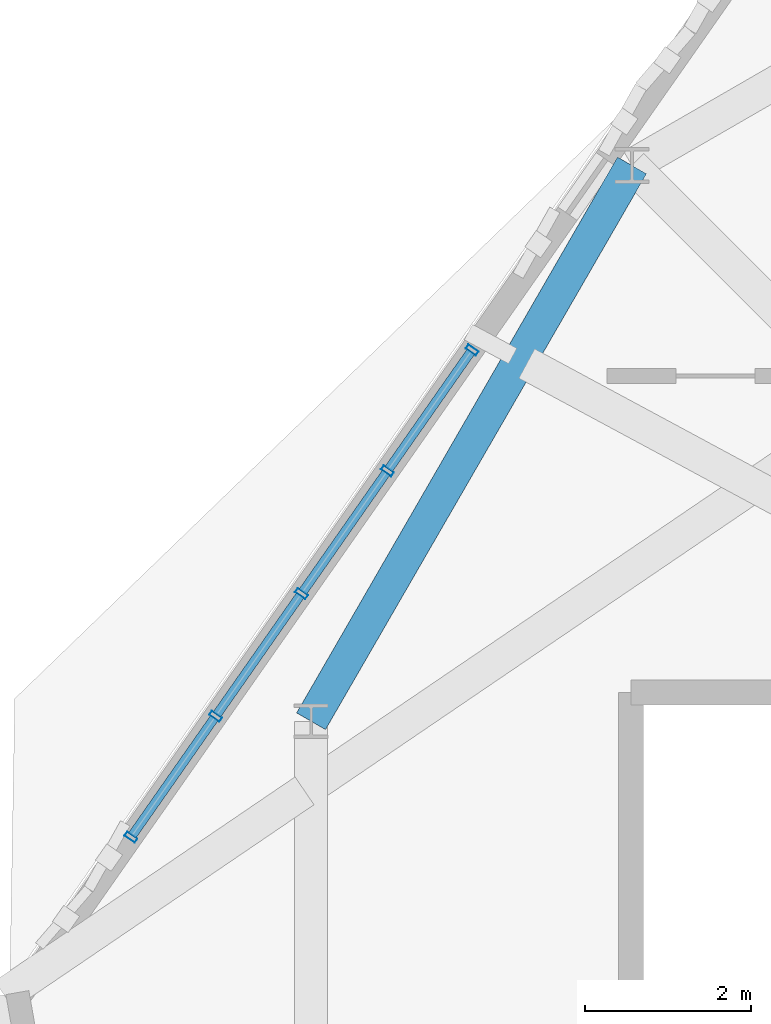
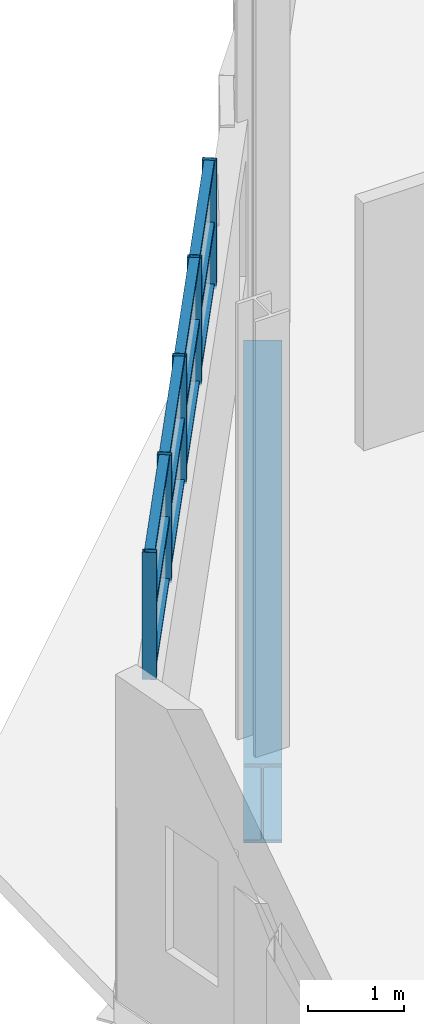
# One storey, part 7 of 36: 17 members, 1 beam, 1 element without a shape of its own.
"""IFC4 building model written with IfcOpenShell, lengths in metres."""

from ifc_helpers import new_model, si_unit, direction, frame, origin, origin_2d, place, context, subcontext, project, spatial, hollow_rectangle, i_section, extrude, material, layer, layer_set, material_profile, profile_set, type_object, element, aggregate, save


model = new_model("IFC4")

# Units and contexts
model_context = context("Model", 3, precision=1e-05, world=origin(), true_north=direction((0.0, 1.0)))
body_context = subcontext(model_context, "Body", "Model", "MODEL_VIEW")
ifc_project = project(units=[si_unit("LENGTHUNIT", "METRE"), si_unit("AREAUNIT", "SQUARE_METRE"), si_unit("VOLUMEUNIT", "CUBIC_METRE"), si_unit("PLANEANGLEUNIT", "RADIAN"), si_unit("MASSUNIT", "GRAM", prefix="KILO"), si_unit("THERMODYNAMICTEMPERATUREUNIT", "KELVIN"), si_unit("POWERUNIT", "WATT")], contexts=[model_context])

# Site, building, storey
site_placement = place(None, origin())
site = spatial("IfcSite", under=ifc_project, at=site_placement, CompositionType="ELEMENT")
building_placement = place(site_placement, origin())
building = spatial("IfcBuilding", under=site, at=building_placement, Name="Zelmaris Science Centre", CompositionType="ELEMENT")
storey_placement = place(building_placement, frame((0.0, 0.0, 25.199951171875)))
storey = spatial("IfcBuildingStorey", under=building, at=storey_placement, Name="L05", CompositionType="ELEMENT", Elevation=25.199951171875)

# Curtain wall, members
ifc_material_1 = material(Name="Anodised architectural aluminium 6063-T6", Category="aluminium")
ifc_layer = layer(ifc_material_1, 0.219970703125, Name="Anodised architectural aluminium 6063-T6")
ifc_layer_set = layer_set([ifc_layer], Name="Anodised architectural aluminium 6063-T6")
curtain_wall_type = type_object("IfcCurtainWallType", Name="Curtain Wall CW-04", PredefinedType="USERDEFINED", material=ifc_layer_set)
curtain_wall_placement = place(storey_placement, origin())
curtain_wall = element("IfcCurtainWall", 1, at=curtain_wall_placement, inside=storey, type_object=curtain_wall_type, Name="L05 Clerestory curtain wall 372", ObjectType="GLAZED CURTAIN WALL", PredefinedType="USERDEFINED")
ifc_material_profile_1 = material_profile(ifc_material_1, hollow_rectangle(XDim=0.06005859375, YDim=0.14990234375, WallThickness=0.00341796875, at=origin_2d()), Name="ALU-MUL-60X150")
ifc_profile_set_1 = profile_set([ifc_material_profile_1], Name="Anodised architectural aluminium 6063-T6")
member_type_1 = type_object("IfcMemberType", Name="ALU-MUL-60X150", PredefinedType="MULLION", material=ifc_profile_set_1)
member_1_placement = place(storey_placement, frame((64.44287109375, 38.462646484375, 2.420166015625), z_axis=(0.0, 0.0, 1.0), x_axis=(0.57357500666, 0.819153045367, 0.0)))
member_1 = element("IfcMember", 2, at=member_1_placement, type_object=member_type_1, Name="CW-04 mullion 1", PredefinedType="MULLION", context=body_context, shape_type="SweptSolid", body=[
    extrude(hollow_rectangle(XDim=0.06005859375, YDim=0.14990234375, WallThickness=0.00341796875, at=origin_2d()), origin(), (0.0, 0.0, 1.0), 1.619873046875),
])
member_2_placement = place(storey_placement, frame((65.460205078125, 39.915771484375, 2.420166015625), z_axis=(0.0, 0.0, 1.0), x_axis=(0.57357500666, 0.819153045367, 0.0)))
member_2 = element("IfcMember", 3, at=member_2_placement, type_object=member_type_1, Name="CW-04 mullion 2", PredefinedType="MULLION", context=body_context, shape_type="SweptSolid", body=[
    extrude(hollow_rectangle(XDim=0.06005859375, YDim=0.14990234375, WallThickness=0.00341796875, at=origin_2d()), origin(), (0.0, 0.0, 1.0), 1.619873046875),
])
member_3_placement = place(storey_placement, frame((66.49267578125, 41.390380859375, 2.420166015625), z_axis=(0.0, 0.0, 1.0), x_axis=(0.57357500666, 0.819153045367, 0.0)))
member_3 = element("IfcMember", 4, at=member_3_placement, type_object=member_type_1, Name="CW-04 mullion 3", PredefinedType="MULLION", context=body_context, shape_type="SweptSolid", body=[
    extrude(hollow_rectangle(XDim=0.06005859375, YDim=0.14990234375, WallThickness=0.00341796875, at=origin_2d()), origin(), (0.0, 0.0, 1.0), 1.619873046875),
])
member_4_placement = place(storey_placement, frame((67.525146484375, 42.86474609375, 2.420166015625), z_axis=(0.0, 0.0, 1.0), x_axis=(0.57357500666, 0.819153045367, 0.0)))
member_4 = element("IfcMember", 5, at=member_4_placement, type_object=member_type_1, Name="CW-04 mullion 4", PredefinedType="MULLION", context=body_context, shape_type="SweptSolid", body=[
    extrude(hollow_rectangle(XDim=0.06005859375, YDim=0.14990234375, WallThickness=0.00341796875, at=origin_2d()), origin(), (0.0, 0.0, 1.0), 1.619873046875),
])
member_5_placement = place(storey_placement, frame((68.542724609375, 44.31787109375, 2.420166015625), z_axis=(0.0, 0.0, 1.0), x_axis=(0.57357500666, 0.819153045367, 0.0)))
member_5 = element("IfcMember", 6, at=member_5_placement, type_object=member_type_1, Name="CW-04 mullion 5", PredefinedType="MULLION", context=body_context, shape_type="SweptSolid", body=[
    extrude(hollow_rectangle(XDim=0.06005859375, YDim=0.14990234375, WallThickness=0.00341796875, at=origin_2d()), origin(), (0.0, 0.0, 1.0), 1.619873046875),
])
ifc_material_profile_2 = material_profile(ifc_material_1, hollow_rectangle(XDim=0.06005859375, YDim=0.110107421875, WallThickness=0.0029296875, at=origin_2d()), Name="ALU-TRN-60X110")
ifc_profile_set_2 = profile_set([ifc_material_profile_2], Name="Anodised architectural aluminium 6063-T6")
member_type_2 = type_object("IfcMemberType", Name="ALU-TRN-60X110", PredefinedType="USERDEFINED", material=ifc_profile_set_2)
member_6_placement = place(storey_placement, frame((64.457763671875, 38.48388671875, 2.446044921875), z_axis=(0.57350040551, 0.819205276399, 0.0), x_axis=(0.0, 0.0, 1.0)))
member_6 = element("IfcMember", 7, at=member_6_placement, type_object=member_type_2, Name="CW-04 transom 1.1", ObjectType="TRANSOM", PredefinedType="USERDEFINED", context=body_context, shape_type="SweptSolid", body=[
    extrude(hollow_rectangle(XDim=0.06005859375, YDim=0.110107421875, WallThickness=0.0029296875, at=origin_2d()), origin(), (0.0, 0.0, 1.0), 1.721923828125),
])
member_7_placement = place(storey_placement, frame((64.457763671875, 38.48388671875, 3.22998046875), z_axis=(0.57350040551, 0.819205276399, 0.0), x_axis=(0.0, 0.0, 1.0)))
member_7 = element("IfcMember", 8, at=member_7_placement, type_object=member_type_2, Name="CW-04 transom 1.2", ObjectType="TRANSOM", PredefinedType="USERDEFINED", context=body_context, shape_type="SweptSolid", body=[
    extrude(hollow_rectangle(XDim=0.06005859375, YDim=0.110107421875, WallThickness=0.0029296875, at=origin_2d()), origin(), (0.0, 0.0, 1.0), 1.721923828125),
])
member_8_placement = place(storey_placement, frame((64.457763671875, 38.48388671875, 4.01416015625), z_axis=(0.57350040551, 0.819205276399, 0.0), x_axis=(0.0, 0.0, 1.0)))
member_8 = element("IfcMember", 9, at=member_8_placement, type_object=member_type_2, Name="CW-04 transom 1.3", ObjectType="TRANSOM", PredefinedType="USERDEFINED", context=body_context, shape_type="SweptSolid", body=[
    extrude(hollow_rectangle(XDim=0.06005859375, YDim=0.110107421875, WallThickness=0.0029296875, at=origin_2d()), origin(), (0.0, 0.0, 1.0), 1.721923828125),
])
member_9_placement = place(storey_placement, frame((65.475341796875, 39.937255859375, 2.446044921875), z_axis=(0.57350921453, 0.819199109405, 0.0), x_axis=(0.0, 0.0, 1.0)))
member_9 = element("IfcMember", 10, at=member_9_placement, type_object=member_type_2, Name="CW-04 transom 2.1", ObjectType="TRANSOM", PredefinedType="USERDEFINED", context=body_context, shape_type="SweptSolid", body=[
    extrude(hollow_rectangle(XDim=0.06005859375, YDim=0.110107421875, WallThickness=0.0029296875, at=origin_2d()), origin(), (0.0, 0.0, 1.0), 1.747802734375),
])
member_10_placement = place(storey_placement, frame((65.475341796875, 39.937255859375, 3.22998046875), z_axis=(0.57350921453, 0.819199109405, 0.0), x_axis=(0.0, 0.0, 1.0)))
member_10 = element("IfcMember", 11, at=member_10_placement, type_object=member_type_2, Name="CW-04 transom 2.2", ObjectType="TRANSOM", PredefinedType="USERDEFINED", context=body_context, shape_type="SweptSolid", body=[
    extrude(hollow_rectangle(XDim=0.06005859375, YDim=0.110107421875, WallThickness=0.0029296875, at=origin_2d()), origin(), (0.0, 0.0, 1.0), 1.747802734375),
])
member_11_placement = place(storey_placement, frame((65.475341796875, 39.937255859375, 4.01416015625), z_axis=(0.57350921453, 0.819199109405, 0.0), x_axis=(0.0, 0.0, 1.0)))
member_11 = element("IfcMember", 12, at=member_11_placement, type_object=member_type_2, Name="CW-04 transom 2.3", ObjectType="TRANSOM", PredefinedType="USERDEFINED", context=body_context, shape_type="SweptSolid", body=[
    extrude(hollow_rectangle(XDim=0.06005859375, YDim=0.110107421875, WallThickness=0.0029296875, at=origin_2d()), origin(), (0.0, 0.0, 1.0), 1.747802734375),
])
member_12_placement = place(storey_placement, frame((66.507568359375, 41.41162109375, 2.446044921875), z_axis=(0.573602937968, 0.819133487018, 0.0), x_axis=(0.0, 0.0, 1.0)))
member_12 = element("IfcMember", 13, at=member_12_placement, type_object=member_type_2, Name="CW-04 transom 3.1", ObjectType="TRANSOM", PredefinedType="USERDEFINED", context=body_context, shape_type="SweptSolid", body=[
    extrude(hollow_rectangle(XDim=0.06005859375, YDim=0.110107421875, WallThickness=0.0029296875, at=origin_2d()), origin(), (0.0, 0.0, 1.0), 1.748046875),
])
member_13_placement = place(storey_placement, frame((66.507568359375, 41.41162109375, 3.22998046875), z_axis=(0.573602937968, 0.819133487018, 0.0), x_axis=(0.0, 0.0, 1.0)))
member_13 = element("IfcMember", 14, at=member_13_placement, type_object=member_type_2, Name="CW-04 transom 3.2", ObjectType="TRANSOM", PredefinedType="USERDEFINED", context=body_context, shape_type="SweptSolid", body=[
    extrude(hollow_rectangle(XDim=0.06005859375, YDim=0.110107421875, WallThickness=0.0029296875, at=origin_2d()), origin(), (0.0, 0.0, 1.0), 1.748046875),
])
member_14_placement = place(storey_placement, frame((66.507568359375, 41.41162109375, 4.01416015625), z_axis=(0.573602937968, 0.819133487018, 0.0), x_axis=(0.0, 0.0, 1.0)))
member_14 = element("IfcMember", 15, at=member_14_placement, type_object=member_type_2, Name="CW-04 transom 3.3", ObjectType="TRANSOM", PredefinedType="USERDEFINED", context=body_context, shape_type="SweptSolid", body=[
    extrude(hollow_rectangle(XDim=0.06005859375, YDim=0.110107421875, WallThickness=0.0029296875, at=origin_2d()), origin(), (0.0, 0.0, 1.0), 1.748046875),
])
member_15_placement = place(storey_placement, frame((67.5400390625, 42.885986328125, 2.446044921875), z_axis=(0.573595542129, 0.819138665947, 0.0), x_axis=(0.0, 0.0, 1.0)))
member_15 = element("IfcMember", 16, at=member_15_placement, type_object=member_type_2, Name="CW-04 transom 4.1", ObjectType="TRANSOM", PredefinedType="USERDEFINED", context=body_context, shape_type="SweptSolid", body=[
    extrude(hollow_rectangle(XDim=0.06005859375, YDim=0.110107421875, WallThickness=0.0029296875, at=origin_2d()), origin(), (0.0, 0.0, 1.0), 1.72216796875),
])
member_16_placement = place(storey_placement, frame((67.5400390625, 42.885986328125, 3.22998046875), z_axis=(0.573595542129, 0.819138665947, 0.0), x_axis=(0.0, 0.0, 1.0)))
member_16 = element("IfcMember", 17, at=member_16_placement, type_object=member_type_2, Name="CW-04 transom 4.2", ObjectType="TRANSOM", PredefinedType="USERDEFINED", context=body_context, shape_type="SweptSolid", body=[
    extrude(hollow_rectangle(XDim=0.06005859375, YDim=0.110107421875, WallThickness=0.0029296875, at=origin_2d()), origin(), (0.0, 0.0, 1.0), 1.72216796875),
])
member_17_placement = place(storey_placement, frame((67.5400390625, 42.885986328125, 4.01416015625), z_axis=(0.573595542129, 0.819138665947, 0.0), x_axis=(0.0, 0.0, 1.0)))
member_17 = element("IfcMember", 18, at=member_17_placement, type_object=member_type_2, Name="CW-04 transom 4.3", ObjectType="TRANSOM", PredefinedType="USERDEFINED", context=body_context, shape_type="SweptSolid", body=[
    extrude(hollow_rectangle(XDim=0.06005859375, YDim=0.110107421875, WallThickness=0.0029296875, at=origin_2d()), origin(), (0.0, 0.0, 1.0), 1.72216796875),
])
aggregate(curtain_wall, [member_1, member_2, member_3, member_4, member_5, member_6, member_7, member_8, member_9, member_10, member_11, member_12, member_13, member_14, member_15, member_16, member_17])

# Beam
ifc_material_2 = material(Name="Steel ASTM A992 Grade 50", Category="steel")
ifc_material_profile_3 = material_profile(ifc_material_2, i_section(OverallWidth=0.40087890625, OverallDepth=1.0009765625, WebThickness=0.01904296875, FlangeThickness=0.0361328125, FilletRadius=0.02490234375, at=origin_2d()), Name="W40X249")
ifc_profile_set_3 = profile_set([ifc_material_profile_3], Name="Steel ASTM A992 Grade 50")
beam_type = type_object("IfcBeamType", Name="Beam G-22 W40X249", PredefinedType="BEAM", material=ifc_profile_set_3)
beam_placement = place(storey_placement, frame((70.464111328125, 46.535888671875, -0.780517578125), z_axis=(-0.500006504531, -0.866021648359, 0.0), x_axis=(0.866021648359, -0.500006504531, 0.0)))
element("IfcBeam", 19, at=beam_placement, inside=storey, type_object=beam_type, Name="L05 Exhibition inner ring girder 5", PredefinedType="BEAM", context=body_context, shape_type="SweptSolid", body=[
    extrude(i_section(OverallWidth=0.40087890625, OverallDepth=1.0009765625, WebThickness=0.01904296875, FlangeThickness=0.0361328125, FilletRadius=0.02490234375, at=origin_2d()), origin(), (0.0, 0.0, 1.0), 7.712890625),
])

save(model, "model.ifc")
